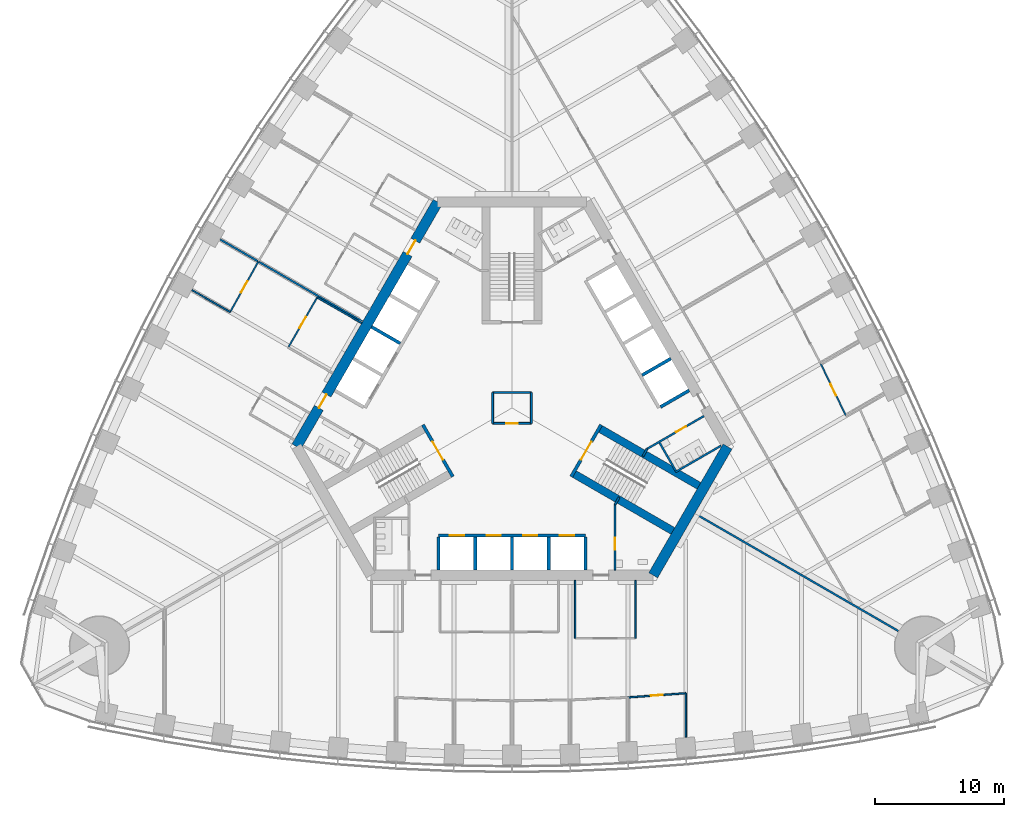
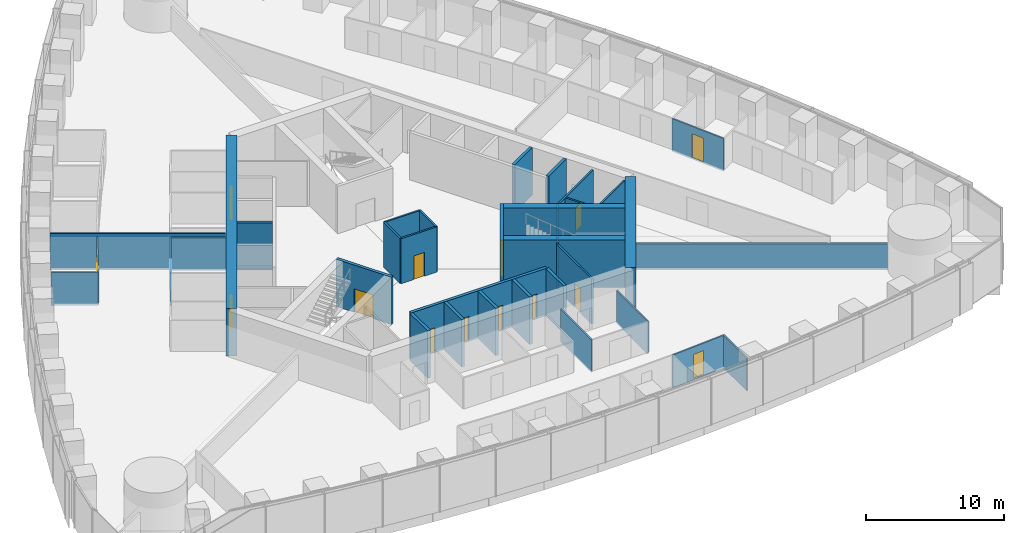
# One storey, part 11 of 18: 36 walls, 15 doors, 15 openings.
"""IFC4 building model written with IfcOpenShell, lengths in metres."""

from ifc_helpers import new_model, si_unit, direction, frame, frame_2d, origin, place, context, subcontext, project, spatial, rectangle, extrude, material, layer, layer_set, type_object, element, fill, save


model = new_model("IFC4")

# Units and contexts
model_context = context("Model", 3, precision=1e-05, world=origin(), true_north=direction((0.0, 1.0)))
body_context = subcontext(model_context, "Body", "Model", "MODEL_VIEW")
ifc_project = project(units=[si_unit("LENGTHUNIT", "METRE"), si_unit("AREAUNIT", "SQUARE_METRE"), si_unit("VOLUMEUNIT", "CUBIC_METRE"), si_unit("PLANEANGLEUNIT", "RADIAN"), si_unit("MASSUNIT", "GRAM", prefix="KILO")], contexts=[model_context])

# Site, building, storey
site_placement = place(None, origin())
site = spatial("IfcSite", under=ifc_project, at=site_placement, CompositionType="ELEMENT")
building_placement = place(site_placement, origin())
building = spatial("IfcBuilding", under=site, at=building_placement, Name="Trefoil Bronze Tower", CompositionType="ELEMENT")
storey_placement = place(building_placement, frame((0.0, 0.0, 41.699951171875)))
storey = spatial("IfcBuildingStorey", under=building, at=storey_placement, Name="L09", CompositionType="ELEMENT", Elevation=41.699951171875)

# Wall
ifc_material_1 = material(Name="Concrete B80", Category="concrete")
ifc_layer_1 = layer(ifc_material_1, 0.800048828125)
ifc_layer_set_1 = layer_set([ifc_layer_1], Name="Core wall 800")
wall_type_1 = type_object("IfcWallType", Name="Core wall 800", PredefinedType="SHEAR", material=ifc_layer_set_1)
wall_1_placement = place(storey_placement, frame((10.9697265625, -13.0, 0.0), z_axis=(0.0, 0.0, 1.0), x_axis=(0.499995765644, 0.866027848477, 0.0)))
element("IfcWall", 1, at=wall_1_placement, inside=storey, type_object=wall_type_1, Name="Core short wall 1 L09", PredefinedType="SHEAR", context=body_context, shape_type="SweptSolid", body=[
    extrude(rectangle(XDim=11.546875, YDim=0.800048828125, at=frame_2d((5.7734375, 0.0))), origin(), (0.0, 0.0, 1.0), 4.199951171875),
])

# Wall, openings, doors
wall_2_placement = place(storey_placement, frame((-5.7734375, 16.0, 0.0), z_axis=(0.0, 0.0, 1.0), x_axis=(-0.500002442456, -0.866023993627, 0.0)))
wall_2 = element("IfcWall", 2, at=wall_2_placement, inside=storey, type_object=wall_type_1, Name="Core long wall 3 L09", PredefinedType="SHEAR", context=body_context, shape_type="SweptSolid", body=[
    extrude(rectangle(XDim=21.939453125, YDim=0.800048828125, at=frame_2d((10.9697265625, 0.0))), origin(), (0.0, 0.0, 1.0), 4.199951171875),
])
opening_1_placement = place(wall_2_placement, frame((17.269775390625, 0.0, 0.0)))
opening_1 = element("IfcOpeningElement", 3, at=opening_1_placement, cuts=wall_2, Name="Opening D2", PredefinedType="OPENING", context=body_context, shape_type="SweptSolid", body=[
    extrude(rectangle(XDim=1.199951171875, YDim=2.10009765625, at=frame_2d((0.60009765625, 1.050048828125))), frame((0.0, 0.409912109375, 0.0), z_axis=(0.0, -1.0, 0.0), x_axis=(1.0, 0.0, 0.0)), (0.0, 0.0, 1.0), 0.820068359375),
])
opening_2_placement = place(wall_2_placement, frame((3.4697265625, 0.0, 0.0)))
opening_2 = element("IfcOpeningElement", 4, at=opening_2_placement, cuts=wall_2, Name="Opening D2", PredefinedType="OPENING", context=body_context, shape_type="SweptSolid", body=[
    extrude(rectangle(XDim=1.199951171875, YDim=2.10009765625, at=frame_2d((0.60009765625, 1.050048828125))), frame((0.0, 0.409912109375, 0.0), z_axis=(0.0, -1.0, 0.0), x_axis=(1.0, 0.0, 0.0)), (0.0, 0.0, 1.0), 0.820068359375),
])
ifc_material_2 = material(Name="Steel door", Category="steel")
door_type_1 = type_object("IfcDoorType", Name="Lobby door 1200", OperationType="SINGLE_SWING_RIGHT", PredefinedType="DOOR", material=ifc_material_2)
door_1_placement = place(opening_1_placement, origin())
door_1 = element("IfcDoor", 5, at=door_1_placement, inside=storey, type_object=door_type_1, Name="Lobby door F3+ L09", OperationType="SINGLE_SWING_RIGHT", OverallHeight=2.10009765625, OverallWidth=1.199951171875, PredefinedType="DOOR", context=body_context, shape_type="SweptSolid", body=[
    extrude(rectangle(XDim=1.199951171875, YDim=2.10009765625, at=frame_2d((0.60009765625, 1.050048828125))), frame((0.0, 0.02490234375, 0.0), z_axis=(0.0, -1.0, 0.0), x_axis=(1.0, 0.0, 0.0)), (0.0, 0.0, 1.0), 0.050048828125),
])
fill(opening_1, door_1)
door_2_placement = place(opening_2_placement, origin())
door_2 = element("IfcDoor", 6, at=door_2_placement, inside=storey, type_object=door_type_1, Name="Lobby door F3- L09", OperationType="SINGLE_SWING_LEFT", OverallHeight=2.10009765625, OverallWidth=1.199951171875, PredefinedType="DOOR", context=body_context, shape_type="SweptSolid", body=[
    extrude(rectangle(XDim=1.199951171875, YDim=2.10009765625, at=frame_2d((0.60009765625, 1.050048828125))), frame((0.0, 0.02490234375, 0.0), z_axis=(0.0, -1.0, 0.0), x_axis=(1.0, 0.0, 0.0)), (0.0, 0.0, 1.0), 0.050048828125),
])
fill(opening_2, door_2)

# Walls
ifc_material_3 = material(Name="Glazed partition", Category="glass")
ifc_layer_2 = layer(ifc_material_3, 0.1201171875)
ifc_layer_set_2 = layer_set([ifc_layer_2], Name="Glazed partition 120")
wall_type_2 = type_object("IfcWallType", Name="Glazed partition 120", PredefinedType="PARTITIONING", material=ifc_layer_set_2)
for number, where, z_axis, x_axis, name in (
    (7, (4.89990234375, -13.39990234375, 0.0), (0.0, 0.0, 1.0), (0.0, -1.0, 0.0), "Partition F1 L09"),
    (8, (9.60009765625, -13.39990234375, 0.0), (0.0, 0.0, 1.0), (0.0, -1.0, 0.0), "Partition F1 L09"),
):
    element("IfcWall", number, at=place(storey_placement, frame(where, z_axis=z_axis, x_axis=x_axis)), inside=storey, type_object=wall_type_2, Name=name, PredefinedType="PARTITIONING", context=body_context, shape_type="SweptSolid", body=[
        extrude(rectangle(XDim=4.5, YDim=0.1201171875, at=frame_2d((2.25, 0.0))), origin(), (0.0, 0.0, 1.0), 2.900146484375),
    ])

# Wall, opening, door
wall_3_placement = place(storey_placement, frame((9.0, -22.4873046875, 0.0), z_axis=(0.0, 0.0, 1.0), x_axis=(0.997363894896, 0.072562119306, 0.0)))
wall_3 = element("IfcWall", 9, at=wall_3_placement, inside=storey, type_object=wall_type_2, Name="Partition F1 L09", PredefinedType="PARTITIONING", context=body_context, shape_type="SweptSolid", body=[
    extrude(rectangle(XDim=4.511962890625, YDim=0.1201171875, at=frame_2d((2.255859375, 0.0))), origin(), (0.0, 0.0, 1.0), 2.900146484375),
])
opening_3_placement = place(wall_3_placement, frame((1.800048828125, 0.0, 0.14990234375)))
opening_3 = element("IfcOpeningElement", 10, at=opening_3_placement, cuts=wall_3, Name="Opening D8", PredefinedType="OPENING", context=body_context, shape_type="SweptSolid", body=[
    extrude(rectangle(XDim=0.89990234375, YDim=2.10009765625, at=frame_2d((0.449951171875, 1.050048828125))), frame((0.0, 0.070068359375, 0.0), z_axis=(0.0, -1.0, 0.0), x_axis=(1.0, 0.0, 0.0)), (0.0, 0.0, 1.0), 0.14013671875),
])
ifc_material_4 = material(Name="Timber door", Category="wood")
door_type_2 = type_object("IfcDoorType", Name="Office door 900", OperationType="SINGLE_SWING_LEFT", PredefinedType="DOOR", material=ifc_material_4)
door_3_placement = place(opening_3_placement, frame((0.89990234375, 0.0, 0.0), z_axis=(0.0, 0.0, 1.0), x_axis=(-1.0, 0.0, 0.0)))
door_3 = element("IfcDoor", 11, at=door_3_placement, inside=storey, type_object=door_type_2, Name="Office door F1 L09", OperationType="SINGLE_SWING_RIGHT", OverallHeight=2.10009765625, OverallWidth=0.89990234375, PredefinedType="DOOR", context=body_context, shape_type="SweptSolid", body=[
    extrude(rectangle(XDim=0.89990234375, YDim=2.10009765625, at=frame_2d((0.449951171875, 1.050048828125))), frame((0.0, 0.02490234375, 0.0), z_axis=(0.0, -1.0, 0.0), x_axis=(1.0, 0.0, 0.0)), (0.0, 0.0, 1.0), 0.050048828125),
])
fill(opening_3, door_3)

# Wall
wall_4_placement = place(storey_placement, frame((13.5, -22.159912109375, 0.0), z_axis=(0.0, 0.0, 1.0), x_axis=(0.0, -1.0, 0.0)))
element("IfcWall", 12, at=wall_4_placement, inside=storey, type_object=wall_type_2, Name="Partition F1 L09", PredefinedType="PARTITIONING", context=body_context, shape_type="SweptSolid", body=[
    extrude(rectangle(XDim=3.4140625, YDim=0.1201171875, at=frame_2d((1.70703125, 0.0))), origin(), (0.0, 0.0, 1.0), 2.900146484375),
])

# Wall, opening, door
wall_5_placement = place(storey_placement, frame((25.941162109375, -0.611328125, 0.0), z_axis=(0.0, 0.0, 1.0), x_axis=(-0.435857917556, 0.900015486369, 0.0)))
wall_5 = element("IfcWall", 13, at=wall_5_placement, inside=storey, type_object=wall_type_2, Name="Partition F2 L09", PredefinedType="PARTITIONING", context=body_context, shape_type="SweptSolid", body=[
    extrude(rectangle(XDim=4.511962890625, YDim=0.1201171875, at=frame_2d((2.255859375, 0.0))), origin(), (0.0, 0.0, 1.0), 2.900146484375),
])
opening_4_placement = place(wall_5_placement, frame((1.75, 0.0, 0.14990234375)))
opening_4 = element("IfcOpeningElement", 14, at=opening_4_placement, cuts=wall_5, Name="Opening D9", PredefinedType="OPENING", context=body_context, shape_type="SweptSolid", body=[
    extrude(rectangle(XDim=1.0, YDim=2.10009765625, at=frame_2d((0.5, 1.050048828125))), frame((0.0, 0.070068359375, 0.0), z_axis=(0.0, -1.0, 0.0), x_axis=(1.0, 0.0, 0.0)), (0.0, 0.0, 1.0), 0.14013671875),
])
ifc_material_5 = material(Name="Glazed timber door", Category="wood")
door_type_3 = type_object("IfcDoorType", Name="Meeting room door 1000", OperationType="SINGLE_SWING_LEFT", PredefinedType="DOOR", material=ifc_material_5)
door_4_placement = place(opening_4_placement, frame((1.0, 0.0, 0.0), z_axis=(0.0, 0.0, 1.0), x_axis=(-1.0, 0.0, 0.0)))
door_4 = element("IfcDoor", 15, at=door_4_placement, inside=storey, type_object=door_type_3, Name="Meeting room door F2 L09", OperationType="SINGLE_SWING_RIGHT", OverallHeight=2.10009765625, OverallWidth=1.0, PredefinedType="DOOR", context=body_context, shape_type="SweptSolid", body=[
    extrude(rectangle(XDim=1.0, YDim=2.10009765625, at=frame_2d((0.5, 1.050048828125))), frame((0.0, 0.02490234375, 0.0), z_axis=(0.0, -1.0, 0.0), x_axis=(1.0, 0.0, 0.0)), (0.0, 0.0, 1.0), 0.050048828125),
])
fill(opening_4, door_4)

wall_6_placement = place(storey_placement, frame((-15.13134765625, 8.591796875, 0.0), z_axis=(0.0, 0.0, 1.0), x_axis=(-0.499990139034, -0.866031096941, 0.0)))
wall_6 = element("IfcWall", 16, at=wall_6_placement, inside=storey, type_object=wall_type_2, Name="Partition F3 L09", PredefinedType="PARTITIONING", context=body_context, shape_type="SweptSolid", body=[
    extrude(rectangle(XDim=4.5, YDim=0.1201171875, at=frame_2d((2.25, 0.0))), origin(), (0.0, 0.0, 1.0), 2.900146484375),
])
opening_5_placement = place(wall_6_placement, frame((1.75, 0.0, 0.14990234375)))
opening_5 = element("IfcOpeningElement", 17, at=opening_5_placement, cuts=wall_6, Name="Opening D9", PredefinedType="OPENING", context=body_context, shape_type="SweptSolid", body=[
    extrude(rectangle(XDim=1.0, YDim=2.10009765625, at=frame_2d((0.5, 1.050048828125))), frame((0.0, 0.070068359375, 0.0), z_axis=(0.0, -1.0, 0.0), x_axis=(1.0, 0.0, 0.0)), (0.0, 0.0, 1.0), 0.14013671875),
])
door_5_placement = place(opening_5_placement, origin())
door_5 = element("IfcDoor", 18, at=door_5_placement, inside=storey, type_object=door_type_3, Name="Project room door F3 L09", OperationType="SINGLE_SWING_LEFT", OverallHeight=2.10009765625, OverallWidth=1.0, PredefinedType="DOOR", context=body_context, shape_type="SweptSolid", body=[
    extrude(rectangle(XDim=1.0, YDim=2.10009765625, at=frame_2d((0.5, 1.050048828125))), frame((0.0, 0.02490234375, 0.0), z_axis=(0.0, -1.0, 0.0), x_axis=(1.0, 0.0, 0.0)), (0.0, 0.0, 1.0), 0.050048828125),
])
fill(opening_5, door_5)

# Wall
wall_7_placement = place(storey_placement, frame((-11.667236328125, 6.591796875, 0.0), z_axis=(0.0, 0.0, 1.0), x_axis=(-0.866026010844, 0.49999894854, 0.0)))
element("IfcWall", 19, at=wall_7_placement, inside=storey, type_object=wall_type_2, Name="Partition F3 L09", PredefinedType="PARTITIONING", context=body_context, shape_type="SweptSolid", body=[
    extrude(rectangle(XDim=4.0, YDim=0.1201171875, at=frame_2d((2.0, 0.0))), origin(), (0.0, 0.0, 1.0), 2.900146484375),
])

# Wall, opening, door
wall_8_placement = place(storey_placement, frame((-19.700927734375, 11.374267578125, 0.0), z_axis=(0.0, 0.0, 1.0), x_axis=(-0.487415216275, -0.87317031955, 0.0)))
wall_8 = element("IfcWall", 20, at=wall_8_placement, inside=storey, type_object=wall_type_2, Name="Partition F3 L09", PredefinedType="PARTITIONING", context=body_context, shape_type="SweptSolid", body=[
    extrude(rectangle(XDim=4.50048828125, YDim=0.1201171875, at=frame_2d((2.250244140625, 0.0))), origin(), (0.0, 0.0, 1.0), 2.900146484375),
])
opening_6_placement = place(wall_8_placement, frame((1.75, 0.0, 0.14990234375)))
opening_6 = element("IfcOpeningElement", 21, at=opening_6_placement, cuts=wall_8, Name="Opening D9", PredefinedType="OPENING", context=body_context, shape_type="SweptSolid", body=[
    extrude(rectangle(XDim=1.0, YDim=2.10009765625, at=frame_2d((0.5, 1.050048828125))), frame((0.0, 0.070068359375, 0.0), z_axis=(0.0, -1.0, 0.0), x_axis=(1.0, 0.0, 0.0)), (0.0, 0.0, 1.0), 0.14013671875),
])
door_6_placement = place(opening_6_placement, frame((1.0, 0.0, 0.0), z_axis=(0.0, 0.0, 1.0), x_axis=(-1.0, 0.0, 0.0)))
door_6 = element("IfcDoor", 22, at=door_6_placement, inside=storey, type_object=door_type_3, Name="Meeting room door F3 L09", OperationType="SINGLE_SWING_RIGHT", OverallHeight=2.10009765625, OverallWidth=1.0, PredefinedType="DOOR", context=body_context, shape_type="SweptSolid", body=[
    extrude(rectangle(XDim=1.0, YDim=2.10009765625, at=frame_2d((0.5, 1.050048828125))), frame((0.0, 0.02490234375, 0.0), z_axis=(0.0, -1.0, 0.0), x_axis=(1.0, 0.0, 0.0)), (0.0, 0.0, 1.0), 0.050048828125),
])
fill(opening_6, door_6)

# Wall
wall_9_placement = place(storey_placement, frame((-21.89453125, 7.444580078125, 0.0), z_axis=(0.0, 0.0, 1.0), x_axis=(-0.866015553834, 0.500017060227, 0.0)))
element("IfcWall", 23, at=wall_9_placement, inside=storey, type_object=wall_type_2, Name="Partition F3 L09", PredefinedType="PARTITIONING", context=body_context, shape_type="SweptSolid", body=[
    extrude(rectangle(XDim=3.41943359375, YDim=0.1201171875, at=frame_2d((1.709716796875, 0.0))), origin(), (0.0, 0.0, 1.0), 2.900146484375),
])

# Wall, opening, door
ifc_material_6 = material(Name="Gypsum board on steel studs", Category="steel")
ifc_layer_3 = layer(ifc_material_6, 0.14990234375)
ifc_layer_set_3 = layer_set([ifc_layer_3], Name="Partition 150")
wall_type_3 = type_object("IfcWallType", Name="Partition 150", PredefinedType="PARTITIONING", material=ifc_layer_set_3)
wall_10_placement = place(storey_placement, frame((8.0, -7.5, 0.0), z_axis=(0.0, 0.0, 1.0), x_axis=(0.0, -1.0, 0.0)))
wall_10 = element("IfcWall", 24, at=wall_10_placement, inside=storey, type_object=wall_type_3, Name="Passage wall F1+ L09", PredefinedType="PARTITIONING", context=body_context, shape_type="SweptSolid", body=[
    extrude(rectangle(XDim=5.10009765625, YDim=0.14990234375, at=frame_2d((2.550048828125, 0.0))), origin(), (0.0, 0.0, 1.0), 4.0),
])
opening_7_placement = place(wall_10_placement, frame((2.60009765625, 0.0, 0.0)))
opening_7 = element("IfcOpeningElement", 25, at=opening_7_placement, cuts=wall_10, Name="Opening D3", PredefinedType="OPENING", context=body_context, shape_type="SweptSolid", body=[
    extrude(rectangle(XDim=0.89990234375, YDim=2.10009765625, at=frame_2d((0.449951171875, 1.050048828125))), frame((0.0, 0.0849609375, 0.0), z_axis=(0.0, -1.0, 0.0), x_axis=(1.0, 0.0, 0.0)), (0.0, 0.0, 1.0), 0.169921875),
])
ifc_material_7 = material(Name="Timber door", Category="wood")
door_type_4 = type_object("IfcDoorType", Name="WC door 900", OperationType="SINGLE_SWING_LEFT", PredefinedType="DOOR", material=ifc_material_7)
door_7_placement = place(opening_7_placement, origin())
door_7 = element("IfcDoor", 26, at=door_7_placement, inside=storey, type_object=door_type_4, Name="Accessible WC door L09", OperationType="SINGLE_SWING_RIGHT", OverallHeight=2.10009765625, OverallWidth=0.89990234375, PredefinedType="DOOR", context=body_context, shape_type="SweptSolid", body=[
    extrude(rectangle(XDim=0.89990234375, YDim=2.10009765625, at=frame_2d((0.449951171875, 1.050048828125))), frame((0.0, 0.02490234375, 0.0), z_axis=(0.0, -1.0, 0.0), x_axis=(1.0, 0.0, 0.0)), (0.0, 0.0, 1.0), 0.050048828125),
])
fill(opening_7, door_7)

wall_11_placement = place(storey_placement, frame((10.4951171875, -3.17822265625, 0.0), z_axis=(0.0, 0.0, 1.0), x_axis=(0.86602216432, 0.500005610874, 0.0)))
wall_11 = element("IfcWall", 27, at=wall_11_placement, inside=storey, type_object=wall_type_3, Name="Passage wall F2- L09", PredefinedType="PARTITIONING", context=body_context, shape_type="SweptSolid", body=[
    extrude(rectangle(XDim=5.10009765625, YDim=0.14990234375, at=frame_2d((2.550048828125, 0.0))), origin(), (0.0, 0.0, 1.0), 4.0),
])
opening_8_placement = place(wall_11_placement, frame((2.60009765625, 0.0, 0.0)))
opening_8 = element("IfcOpeningElement", 28, at=opening_8_placement, cuts=wall_11, Name="Opening D3", PredefinedType="OPENING", context=body_context, shape_type="SweptSolid", body=[
    extrude(rectangle(XDim=0.89990234375, YDim=2.10009765625, at=frame_2d((0.449951171875, 1.050048828125))), frame((0.0, 0.0849609375, 0.0), z_axis=(0.0, -1.0, 0.0), x_axis=(1.0, 0.0, 0.0)), (0.0, 0.0, 1.0), 0.169921875),
])
door_8_placement = place(opening_8_placement, frame((0.89990234375, 0.0, 0.0), z_axis=(0.0, 0.0, 1.0), x_axis=(-1.0, 0.0, 0.0)))
door_8 = element("IfcDoor", 29, at=door_8_placement, inside=storey, type_object=door_type_4, Name="WC (women) door L09", OperationType="SINGLE_SWING_RIGHT", OverallHeight=2.10009765625, OverallWidth=0.89990234375, PredefinedType="DOOR", context=body_context, shape_type="SweptSolid", body=[
    extrude(rectangle(XDim=0.89990234375, YDim=2.10009765625, at=frame_2d((0.449951171875, 1.050048828125))), frame((0.0, 0.02490234375, 0.0), z_axis=(0.0, -1.0, 0.0), x_axis=(1.0, 0.0, 0.0)), (0.0, 0.0, 1.0), 0.050048828125),
])
fill(opening_8, door_8)

# Walls
for number, where, z_axis, x_axis, name in (
    (30, (8.0, -7.5, 0.0), (0.0, 0.0, 1.0), (0.499842556608, 0.866116284689, 0.0), "WC wall ST1-1 L09"),
    (31, (10.4951171875, -3.17822265625, 0.0), (0.0, 0.0, 1.0), (-0.499842556608, -0.866116284689, 0.0), "WC wall ST1+1 L09"),
):
    element("IfcWall", number, at=place(storey_placement, frame(where, z_axis=z_axis, x_axis=x_axis)), inside=storey, type_object=wall_type_3, Name=name, PredefinedType="PARTITIONING", context=body_context, shape_type="SweptSolid", body=[
        extrude(rectangle(XDim=0.645263671875, YDim=0.14990234375, at=frame_2d((0.32275390625, 0.0))), origin(), (0.0, 0.0, 1.0), 4.0),
    ])
wall_12_placement = place(storey_placement, frame((12.691162109375, -4.98193359375, 0.0), z_axis=(0.0, 0.0, 1.0), x_axis=(0.8660249478, 0.500000789788, 0.0)))
element("IfcWall", 32, at=wall_12_placement, inside=storey, type_object=wall_type_3, Name="WC partition WC (women) L09", PredefinedType="PARTITIONING", context=body_context, shape_type="SweptSolid", body=[
    extrude(rectangle(XDim=4.10009765625, YDim=0.14990234375, at=frame_2d((2.050048828125, 0.0))), origin(), (0.0, 0.0, 1.0), 4.0),
])
wall_13_placement = place(storey_placement, frame((11.463623046875, -2.70556640625, 0.0), z_axis=(0.0, 0.0, 1.0), x_axis=(0.50001992892, -0.866013897511, 0.0)))
element("IfcWall", 33, at=wall_13_placement, inside=storey, type_object=wall_type_3, Name="WC partition WC (women) L09", PredefinedType="PARTITIONING", context=body_context, shape_type="SweptSolid", body=[
    extrude(rectangle(XDim=2.51025390625, YDim=0.14990234375, at=frame_2d((1.255126953125, 0.0))), origin(), (0.0, 0.0, 1.0), 4.0),
])
ifc_material_8 = material(Name="Gypsum board on steel studs", Category="steel")
ifc_layer_4 = layer(ifc_material_8, 0.14990234375)
ifc_layer_set_4 = layer_set([ifc_layer_4], Name="Party wall 150")
wall_type_4 = type_object("IfcWallType", Name="Party wall 150", PredefinedType="PARTITIONING", material=ifc_layer_set_4)
wall_14_placement = place(storey_placement, frame((14.202880859375, -8.199951171875, 0.0), z_axis=(0.0, 0.0, 1.0), x_axis=(0.866024965723, -0.500000758745, 0.0)))
element("IfcWall", 34, at=wall_14_placement, inside=storey, type_object=wall_type_4, Name="Party wall K1 L09", PredefinedType="PARTITIONING", context=body_context, shape_type="SweptSolid", body=[
    extrude(rectangle(XDim=18.25, YDim=0.14990234375, at=frame_2d((9.125, 0.0))), origin(), (0.0, 0.0, 1.0), 2.300048828125),
])
wall_15_placement = place(storey_placement, frame((-11.61328125, 6.705078125, 0.0), z_axis=(0.0, 0.0, 1.0), x_axis=(-0.86602785495, 0.499995754432, 0.0)))
element("IfcWall", 35, at=wall_15_placement, inside=storey, type_object=wall_type_4, Name="Demising wall F3 L09", PredefinedType="PARTITIONING", context=body_context, shape_type="SweptSolid", body=[
    extrude(rectangle(XDim=12.7587890625, YDim=0.14990234375, at=frame_2d((6.37939453125, 0.0))), origin(), (0.0, 0.0, 1.0), 3.199951171875),
])

# Wall, opening, door
ifc_material_9 = material(Name="Gypsum board on steel studs", Category="steel")
ifc_layer_5 = layer(ifc_material_9, 0.14990234375)
ifc_layer_set_5 = layer_set([ifc_layer_5], Name="Riser wall 150")
wall_type_5 = type_object("IfcWallType", Name="Riser wall 150", PredefinedType="PARTITIONING", material=ifc_layer_set_5)
wall_16_placement = place(storey_placement, frame((-1.5, -1.199951171875, 0.0), z_axis=(0.0, 0.0, 1.0), x_axis=(1.0, 0.0, 0.0)))
wall_16 = element("IfcWall", 36, at=wall_16_placement, inside=storey, type_object=wall_type_5, Name="Riser wall L09", PredefinedType="PARTITIONING", context=body_context, shape_type="SweptSolid", body=[
    extrude(rectangle(XDim=3.0, YDim=0.14990234375, at=frame_2d((1.5, 0.0))), origin(), (0.0, 0.0, 1.0), 4.0),
])
opening_9_placement = place(wall_16_placement, frame((1.050048828125, 0.0, 0.0)))
opening_9 = element("IfcOpeningElement", 37, at=opening_9_placement, cuts=wall_16, Name="Opening D4", PredefinedType="OPENING", context=body_context, shape_type="SweptSolid", body=[
    extrude(rectangle(XDim=0.89990234375, YDim=2.10009765625, at=frame_2d((0.449951171875, 1.050048828125))), frame((0.0, 0.0849609375, 0.0), z_axis=(0.0, -1.0, 0.0), x_axis=(1.0, 0.0, 0.0)), (0.0, 0.0, 1.0), 0.169921875),
])
ifc_material_10 = material(Name="Steel door", Category="steel")
door_type_5 = type_object("IfcDoorType", Name="Riser door 900", OperationType="SINGLE_SWING_LEFT", PredefinedType="DOOR", material=ifc_material_10)
door_9_placement = place(opening_9_placement, frame((0.89990234375, 0.0, 0.0), z_axis=(0.0, 0.0, 1.0), x_axis=(-1.0, 0.0, 0.0)))
door_9 = element("IfcDoor", 38, at=door_9_placement, inside=storey, type_object=door_type_5, Name="Riser door L09", OperationType="SINGLE_SWING_LEFT", OverallHeight=2.10009765625, OverallWidth=0.89990234375, PredefinedType="DOOR", context=body_context, shape_type="SweptSolid", body=[
    extrude(rectangle(XDim=0.89990234375, YDim=2.10009765625, at=frame_2d((0.449951171875, 1.050048828125))), frame((0.0, 0.02490234375, 0.0), z_axis=(0.0, -1.0, 0.0), x_axis=(1.0, 0.0, 0.0)), (0.0, 0.0, 1.0), 0.050048828125),
])
fill(opening_9, door_9)

# Walls
wall_17_placement = place(storey_placement, frame((1.5, -1.199951171875, 0.0), z_axis=(0.0, 0.0, 1.0), x_axis=(0.0, 1.0, 0.0)))
element("IfcWall", 39, at=wall_17_placement, inside=storey, type_object=wall_type_5, Name="Riser wall L09", PredefinedType="PARTITIONING", context=body_context, shape_type="SweptSolid", body=[
    extrude(rectangle(XDim=2.39990234375, YDim=0.14990234375, at=frame_2d((1.199951171875, 0.0))), origin(), (0.0, 0.0, 1.0), 4.0),
])
wall_18_placement = place(storey_placement, frame((1.5, 1.199951171875, 0.0), z_axis=(0.0, 0.0, 1.0), x_axis=(-1.0, 0.0, 0.0)))
element("IfcWall", 40, at=wall_18_placement, inside=storey, type_object=wall_type_5, Name="Riser wall L09", PredefinedType="PARTITIONING", context=body_context, shape_type="SweptSolid", body=[
    extrude(rectangle(XDim=3.0, YDim=0.14990234375, at=frame_2d((1.5, 0.0))), origin(), (0.0, 0.0, 1.0), 4.0),
])
wall_19_placement = place(storey_placement, frame((-1.5, 1.199951171875, 0.0), z_axis=(0.0, 0.0, 1.0), x_axis=(0.0, -1.0, 0.0)))
element("IfcWall", 41, at=wall_19_placement, inside=storey, type_object=wall_type_5, Name="Riser wall L09", PredefinedType="PARTITIONING", context=body_context, shape_type="SweptSolid", body=[
    extrude(rectangle(XDim=2.39990234375, YDim=0.14990234375, at=frame_2d((1.199951171875, 0.0))), origin(), (0.0, 0.0, 1.0), 4.0),
])

# Wall, openings, doors
ifc_material_11 = material(Name="Concrete B80", Category="concrete")
ifc_layer_6 = layer(ifc_material_11, 0.25)
ifc_layer_set_6 = layer_set([ifc_layer_6], Name="Shaft wall 250")
wall_type_6 = type_object("IfcWallType", Name="Shaft wall 250", PredefinedType="SHEAR", material=ifc_layer_set_6)
wall_20_placement = place(storey_placement, frame((-5.699951171875, -9.89990234375, 0.0), z_axis=(0.0, 0.0, 1.0), x_axis=(1.0, 0.0, 0.0)))
wall_20 = element("IfcWall", 42, at=wall_20_placement, inside=storey, type_object=wall_type_6, Name="Lift shaft front wall A L09", PredefinedType="SHEAR", context=body_context, shape_type="SweptSolid", body=[
    extrude(rectangle(XDim=11.39990234375, YDim=0.25, at=frame_2d((5.699951171875, 0.0))), origin(), (0.0, 0.0, 1.0), 4.199951171875),
])
opening_10_placement = place(wall_20_placement, frame((0.875, 0.0, 0.0)))
opening_10 = element("IfcOpeningElement", 43, at=opening_10_placement, cuts=wall_20, Name="Opening LD-P11", PredefinedType="OPENING", context=body_context, shape_type="SweptSolid", body=[
    extrude(rectangle(XDim=1.10009765625, YDim=2.199951171875, at=frame_2d((0.550048828125, 1.10009765625))), frame((0.0, 0.135009765625, 0.0), z_axis=(0.0, -1.0, 0.0), x_axis=(1.0, 0.0, 0.0)), (0.0, 0.0, 1.0), 0.27001953125),
])
opening_11_placement = place(wall_20_placement, frame((3.72509765625, 0.0, 0.0)))
opening_11 = element("IfcOpeningElement", 44, at=opening_11_placement, cuts=wall_20, Name="Opening LD-P12", PredefinedType="OPENING", context=body_context, shape_type="SweptSolid", body=[
    extrude(rectangle(XDim=1.10009765625, YDim=2.199951171875, at=frame_2d((0.550048828125, 1.10009765625))), frame((0.0, 0.135009765625, 0.0), z_axis=(0.0, -1.0, 0.0), x_axis=(1.0, 0.0, 0.0)), (0.0, 0.0, 1.0), 0.27001953125),
])
opening_12_placement = place(wall_20_placement, frame((6.574951171875, 0.0, 0.0)))
opening_12 = element("IfcOpeningElement", 45, at=opening_12_placement, cuts=wall_20, Name="Opening LD-P13", PredefinedType="OPENING", context=body_context, shape_type="SweptSolid", body=[
    extrude(rectangle(XDim=1.10009765625, YDim=2.199951171875, at=frame_2d((0.550048828125, 1.10009765625))), frame((0.0, 0.135009765625, 0.0), z_axis=(0.0, -1.0, 0.0), x_axis=(1.0, 0.0, 0.0)), (0.0, 0.0, 1.0), 0.27001953125),
])
opening_13_placement = place(wall_20_placement, frame((9.425048828125, 0.0, 0.0)))
opening_13 = element("IfcOpeningElement", 46, at=opening_13_placement, cuts=wall_20, Name="Opening LD-P14", PredefinedType="OPENING", context=body_context, shape_type="SweptSolid", body=[
    extrude(rectangle(XDim=1.10009765625, YDim=2.199951171875, at=frame_2d((0.550048828125, 1.10009765625))), frame((0.0, 0.135009765625, 0.0), z_axis=(0.0, -1.0, 0.0), x_axis=(1.0, 0.0, 0.0)), (0.0, 0.0, 1.0), 0.27001953125),
])
ifc_material_12 = material(Name="Steel door", Category="steel")
door_type_6 = type_object("IfcDoorType", Name="Lift landing door 1100", OperationType="DOUBLE_DOOR_SLIDING", PredefinedType="DOOR", material=ifc_material_12)
door_10_placement = place(opening_10_placement, origin())
door_10 = element("IfcDoor", 47, at=door_10_placement, inside=storey, type_object=door_type_6, Name="Lift P11 landing door L09", OperationType="DOUBLE_DOOR_SLIDING", OverallHeight=2.199951171875, OverallWidth=1.10009765625, PredefinedType="DOOR", context=body_context, shape_type="SweptSolid", body=[
    extrude(rectangle(XDim=1.10009765625, YDim=2.199951171875, at=frame_2d((0.550048828125, 1.10009765625))), frame((0.0, 0.02490234375, 0.0), z_axis=(0.0, -1.0, 0.0), x_axis=(1.0, 0.0, 0.0)), (0.0, 0.0, 1.0), 0.050048828125),
])
fill(opening_10, door_10)
door_11_placement = place(opening_11_placement, origin())
door_11 = element("IfcDoor", 48, at=door_11_placement, inside=storey, type_object=door_type_6, Name="Lift P12 landing door L09", OperationType="DOUBLE_DOOR_SLIDING", OverallHeight=2.199951171875, OverallWidth=1.10009765625, PredefinedType="DOOR", context=body_context, shape_type="SweptSolid", body=[
    extrude(rectangle(XDim=1.10009765625, YDim=2.199951171875, at=frame_2d((0.550048828125, 1.10009765625))), frame((0.0, 0.02490234375, 0.0), z_axis=(0.0, -1.0, 0.0), x_axis=(1.0, 0.0, 0.0)), (0.0, 0.0, 1.0), 0.050048828125),
])
fill(opening_11, door_11)
door_12_placement = place(opening_12_placement, origin())
door_12 = element("IfcDoor", 49, at=door_12_placement, inside=storey, type_object=door_type_6, Name="Lift P13 landing door L09", OperationType="DOUBLE_DOOR_SLIDING", OverallHeight=2.199951171875, OverallWidth=1.10009765625, PredefinedType="DOOR", context=body_context, shape_type="SweptSolid", body=[
    extrude(rectangle(XDim=1.10009765625, YDim=2.199951171875, at=frame_2d((0.550048828125, 1.10009765625))), frame((0.0, 0.02490234375, 0.0), z_axis=(0.0, -1.0, 0.0), x_axis=(1.0, 0.0, 0.0)), (0.0, 0.0, 1.0), 0.050048828125),
])
fill(opening_12, door_12)
door_13_placement = place(opening_13_placement, origin())
door_13 = element("IfcDoor", 50, at=door_13_placement, inside=storey, type_object=door_type_6, Name="Lift P14 landing door L09", OperationType="DOUBLE_DOOR_SLIDING", OverallHeight=2.199951171875, OverallWidth=1.10009765625, PredefinedType="DOOR", context=body_context, shape_type="SweptSolid", body=[
    extrude(rectangle(XDim=1.10009765625, YDim=2.199951171875, at=frame_2d((0.550048828125, 1.10009765625))), frame((0.0, 0.02490234375, 0.0), z_axis=(0.0, -1.0, 0.0), x_axis=(1.0, 0.0, 0.0)), (0.0, 0.0, 1.0), 0.050048828125),
])
fill(opening_13, door_13)

# Walls
for number, where, z_axis, x_axis, name in (
    (51, (-5.699951171875, -10.02490234375, 0.0), (0.0, 0.0, 1.0), (0.0, -1.0, 0.0), "Lift shaft side wall A0 L09"),
    (52, (-2.85009765625, -10.02490234375, 0.0), (0.0, 0.0, 1.0), (0.0, -1.0, 0.0), "Lift shaft side wall A1 L09"),
    (53, (0.0, -10.02490234375, 0.0), (0.0, 0.0, 1.0), (0.0, -1.0, 0.0), "Lift shaft side wall A2 L09"),
    (54, (2.85009765625, -10.02490234375, 0.0), (0.0, 0.0, 1.0), (0.0, -1.0, 0.0), "Lift shaft side wall A3 L09"),
    (55, (5.699951171875, -10.02490234375, 0.0), (0.0, 0.0, 1.0), (0.0, -1.0, 0.0), "Lift shaft side wall A4 L09"),
):
    element("IfcWall", number, at=place(storey_placement, frame(where, z_axis=z_axis, x_axis=x_axis)), inside=storey, type_object=wall_type_6, Name=name, PredefinedType="SHEAR", context=body_context, shape_type="SweptSolid", body=[
        extrude(rectangle(XDim=2.5751953125, YDim=0.25, at=frame_2d((1.28759765625, 0.0))), origin(), (0.0, 0.0, 1.0), 4.199951171875),
    ])
for number, where, z_axis, x_axis, name in (
    (56, (11.531982421875, 0.076171875, 0.0), (0.0, 0.0, 1.0), (0.866005588531, 0.500034319456, 0.0), "Lift shaft side wall B0 L09"),
    (57, (10.10693359375, 2.54443359375, 0.0), (0.0, 0.0, 1.0), (0.866046643894, 0.499963209246, 0.0), "Lift shaft side wall B1 L09"),
    (58, (-8.681884765625, 5.012451171875, 0.0), (0.0, 0.0, 1.0), (-0.866005588531, 0.500034319456, 0.0), "Lift shaft side wall C2 L09"),
):
    element("IfcWall", number, at=place(storey_placement, frame(where, z_axis=z_axis, x_axis=x_axis)), inside=storey, type_object=wall_type_6, Name=name, PredefinedType="SHEAR", context=body_context, shape_type="SweptSolid", body=[
        extrude(rectangle(XDim=2.574951171875, YDim=0.25, at=frame_2d((1.28759765625, 0.0))), origin(), (0.0, 0.0, 1.0), 4.199951171875),
    ])

# Wall, opening, door
wall_21_placement = place(storey_placement, frame((4.5966796875, -5.338623046875, 0.0), z_axis=(0.0, 0.0, 1.0), x_axis=(0.499984536904, 0.866034331223, 0.0)))
wall_21 = element("IfcWall", 59, at=wall_21_placement, inside=storey, type_object=wall_type_6, Name="Stair end wall ST1 L09", PredefinedType="SHEAR", context=body_context, shape_type="SweptSolid", body=[
    extrude(rectangle(XDim=4.650146484375, YDim=0.25, at=frame_2d((2.3251953125, 0.0))), origin(), (0.0, 0.0, 1.0), 4.199951171875),
])
opening_14_placement = place(wall_21_placement, frame((1.52490234375, 0.0, 0.0)))
opening_14 = element("IfcOpeningElement", 60, at=opening_14_placement, cuts=wall_21, Name="Opening D1", PredefinedType="OPENING", context=body_context, shape_type="SweptSolid", body=[
    extrude(rectangle(XDim=1.60009765625, YDim=2.10009765625, at=frame_2d((0.800048828125, 1.050048828125))), frame((0.0, 0.135009765625, 0.0), z_axis=(0.0, -1.0, 0.0), x_axis=(1.0, 0.0, 0.0)), (0.0, 0.0, 1.0), 0.27001953125),
])
ifc_material_13 = material(Name="Steel door", Category="steel")
door_type_7 = type_object("IfcDoorType", Name="Stair door 1600", OperationType="DOUBLE_DOOR_SINGLE_SWING", PredefinedType="DOOR", material=ifc_material_13)
door_14_placement = place(opening_14_placement, frame((1.60009765625, 0.0, 0.0), z_axis=(0.0, 0.0, 1.0), x_axis=(-1.0, 0.0, 0.0)))
door_14 = element("IfcDoor", 61, at=door_14_placement, inside=storey, type_object=door_type_7, Name="Stair door ST1 L09", OperationType="DOUBLE_DOOR_SINGLE_SWING", OverallHeight=2.10009765625, OverallWidth=1.60009765625, PredefinedType="DOOR", context=body_context, shape_type="SweptSolid", body=[
    extrude(rectangle(XDim=1.60009765625, YDim=2.10009765625, at=frame_2d((0.800048828125, 1.050048828125))), frame((0.0, 0.02490234375, 0.0), z_axis=(0.0, -1.0, 0.0), x_axis=(1.0, 0.0, 0.0)), (0.0, 0.0, 1.0), 0.050048828125),
])
fill(opening_14, door_14)

wall_22_placement = place(storey_placement, frame((-6.921630859375, -1.3115234375, 0.0), z_axis=(0.0, 0.0, 1.0), x_axis=(0.499984536904, -0.866034331223, 0.0)))
wall_22 = element("IfcWall", 62, at=wall_22_placement, inside=storey, type_object=wall_type_6, Name="Stair end wall ST3 L09", PredefinedType="SHEAR", context=body_context, shape_type="SweptSolid", body=[
    extrude(rectangle(XDim=4.650146484375, YDim=0.25, at=frame_2d((2.3251953125, 0.0))), origin(), (0.0, 0.0, 1.0), 4.199951171875),
])
opening_15_placement = place(wall_22_placement, frame((1.52490234375, 0.0, 0.0)))
opening_15 = element("IfcOpeningElement", 63, at=opening_15_placement, cuts=wall_22, Name="Opening D1", PredefinedType="OPENING", context=body_context, shape_type="SweptSolid", body=[
    extrude(rectangle(XDim=1.60009765625, YDim=2.10009765625, at=frame_2d((0.800048828125, 1.050048828125))), frame((0.0, 0.135009765625, 0.0), z_axis=(0.0, -1.0, 0.0), x_axis=(1.0, 0.0, 0.0)), (0.0, 0.0, 1.0), 0.27001953125),
])
door_15_placement = place(opening_15_placement, frame((1.60009765625, 0.0, 0.0), z_axis=(0.0, 0.0, 1.0), x_axis=(-1.0, 0.0, 0.0)))
door_15 = element("IfcDoor", 64, at=door_15_placement, inside=storey, type_object=door_type_7, Name="Stair door ST3 L09", OperationType="DOUBLE_DOOR_SINGLE_SWING", OverallHeight=2.10009765625, OverallWidth=1.60009765625, PredefinedType="DOOR", context=body_context, shape_type="SweptSolid", body=[
    extrude(rectangle(XDim=1.60009765625, YDim=2.10009765625, at=frame_2d((0.800048828125, 1.050048828125))), frame((0.0, 0.02490234375, 0.0), z_axis=(0.0, -1.0, 0.0), x_axis=(1.0, 0.0, 0.0)), (0.0, 0.0, 1.0), 0.050048828125),
])
fill(opening_15, door_15)

# Walls
ifc_material_14 = material(Name="Concrete B80", Category="concrete")
ifc_layer_7 = layer(ifc_material_14, 0.60009765625)
ifc_layer_set_7 = layer_set([ifc_layer_7], Name="Stair wall 600")
wall_type_7 = type_object("IfcWallType", Name="Stair wall 600", PredefinedType="SHEAR", material=ifc_layer_set_7)
for number, where, z_axis, x_axis, name in (
    (65, (4.638427734375, -5.01611328125, 0.0), (0.0, 0.0, 1.0), (0.866019375473, -0.500010441196, 0.0), "Stair wall ST1 L09"),
    (66, (6.663330078125, -1.5087890625, 0.0), (0.0, 0.0, 1.0), (0.866019375473, -0.500010441196, 0.0), "Stair wall ST1 L09"),
):
    element("IfcWall", number, at=place(storey_placement, frame(where, z_axis=z_axis, x_axis=x_axis)), inside=storey, type_object=wall_type_7, Name=name, PredefinedType="SHEAR", context=body_context, shape_type="SweptSolid", body=[
        extrude(rectangle(XDim=9.074951171875, YDim=0.60009765625, at=frame_2d((4.53759765625, 0.0))), origin(), (0.0, 0.0, 1.0), 4.199951171875),
    ])

save(model, "model.ifc")
